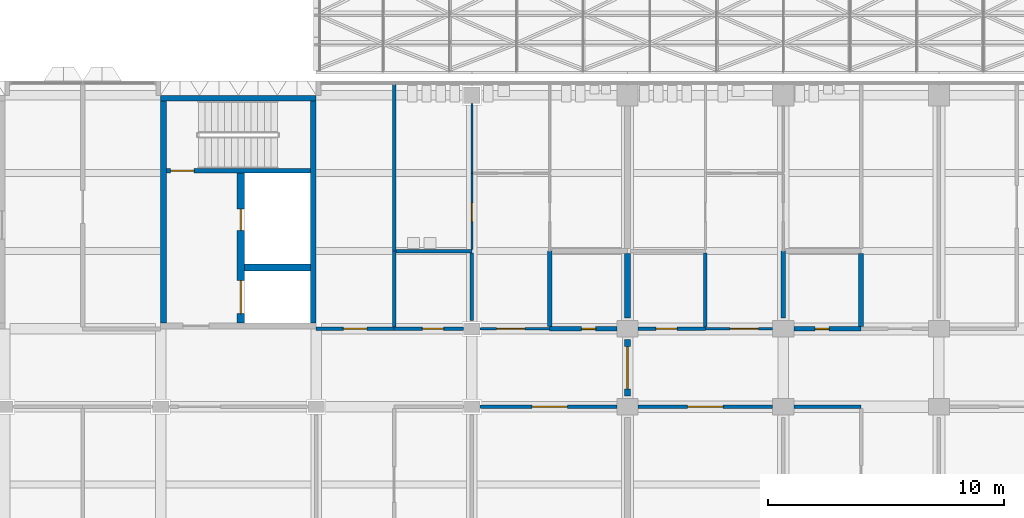
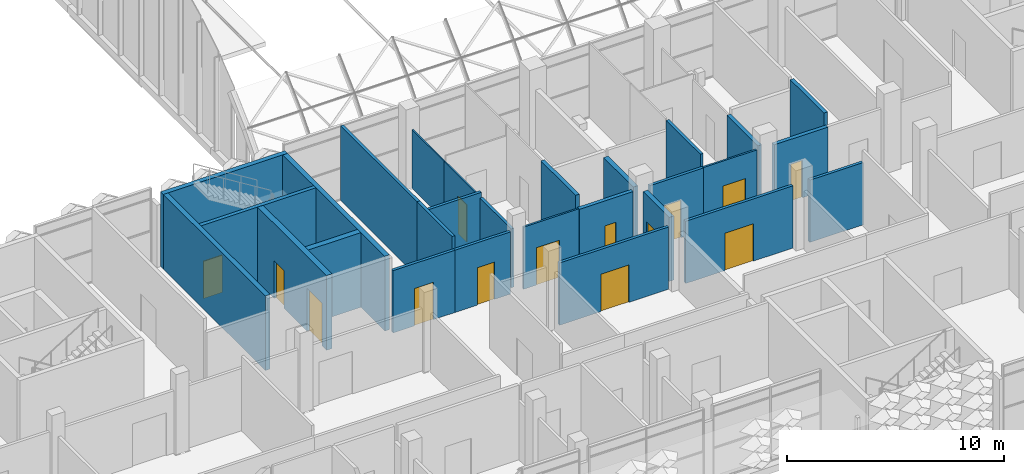
# One storey, part 52 of 109: 28 walls, 14 doors, 14 openings.
"""IFC4 building model written with IfcOpenShell, lengths in metres."""

from ifc_helpers import new_model, si_unit, direction, frame, frame_2d, origin, place, context, subcontext, project, spatial, rectangle, extrude, material, layer, layer_set, type_object, element, fill, save


model = new_model("IFC4")

# Units and contexts
model_context = context("Model", 3, precision=1e-05, world=origin(), true_north=direction((0.0, 1.0)))
body_context = subcontext(model_context, "Body", "Model", "MODEL_VIEW")
ifc_project = project(units=[si_unit("LENGTHUNIT", "METRE"), si_unit("AREAUNIT", "SQUARE_METRE"), si_unit("VOLUMEUNIT", "CUBIC_METRE"), si_unit("PLANEANGLEUNIT", "RADIAN"), si_unit("MASSUNIT", "GRAM", prefix="KILO")], contexts=[model_context])

# Site, building, storey
site_placement = place(None, origin())
site = spatial("IfcSite", under=ifc_project, at=site_placement, CompositionType="ELEMENT")
building_placement = place(site_placement, origin())
building = spatial("IfcBuilding", under=site, at=building_placement, Name="Lantern Court Research Institute", CompositionType="ELEMENT")
storey_placement = place(building_placement, frame((0.0, 0.0, 14.39990234375)))
storey = spatial("IfcBuildingStorey", under=building, at=storey_placement, Name="L03", CompositionType="ELEMENT", Elevation=14.39990234375)

# Wall, opening, door
ifc_material_1 = material(Name="Fire-rated gypsum board partition, mineral wool filled")
ifc_layer_1 = layer(ifc_material_1, 0.199951171875)
ifc_layer_set_1 = layer_set([ifc_layer_1], Name="Fire-rated gypsum board partition, mineral wool filled")
wall_type_1 = type_object("IfcWallType", Name="Compartment wall 200 EI 120", PredefinedType="PARTITIONING", material=ifc_layer_set_1)
wall_1_placement = place(storey_placement, frame((49.5, 13.199951171875, 0.0), z_axis=(0.0, 0.0, 1.0), x_axis=(1.0, 0.0, 0.0)))
wall_1 = element("IfcWall", 1, at=wall_1_placement, inside=storey, type_object=wall_type_1, Name="Compartment wall 200 EI 120", PredefinedType="PARTITIONING", context=body_context, shape_type="SweptSolid", body=[
    extrude(rectangle(XDim=2.85009765625, YDim=0.199951171875, at=frame_2d((1.425048828125, 0.0))), origin(), (0.0, 0.0, 1.0), 3.5),
])
opening_1_placement = place(wall_1_placement, frame((1.35009765625, 0.0, 0.0)))
opening_1 = element("IfcOpeningElement", 2, at=opening_1_placement, cuts=wall_1, Name="Opening D4310", PredefinedType="OPENING", context=body_context, shape_type="SweptSolid", body=[
    extrude(rectangle(XDim=0.60009765625, YDim=2.10009765625, at=frame_2d((0.300048828125, 1.050048828125))), frame((0.0, 0.10986328125, 0.0), z_axis=(0.0, -1.0, 0.0), x_axis=(1.0, 0.0, 0.0)), (0.0, 0.0, 1.0), 0.219970703125),
])
ifc_material_2 = material(Name="Solid-core timber door leaf", Category="wood")
ifc_layer_2 = layer(ifc_material_2, 0.06005859375)
ifc_layer_set_2 = layer_set([ifc_layer_2], Name="Solid-core timber door leaf")
door_type_1 = type_object("IfcDoorType", Name="Service riser door 600 x 2100 single FD60", OperationType="NOTDEFINED", PredefinedType="DOOR", material=ifc_layer_set_2)
door_1_placement = place(opening_1_placement, origin())
door_1 = element("IfcDoor", 3, at=door_1_placement, inside=storey, type_object=door_type_1, Name="Door D4310", OperationType="SINGLE_SWING_RIGHT", OverallHeight=2.10009765625, OverallWidth=0.60009765625, PredefinedType="DOOR", context=body_context, shape_type="SweptSolid", body=[
    extrude(rectangle(XDim=0.60009765625, YDim=2.10009765625, at=frame_2d((0.300048828125, 1.050048828125))), frame((0.0, 0.030029296875, 0.0), z_axis=(0.0, -1.0, 0.0), x_axis=(1.0, 0.0, 0.0)), (0.0, 0.0, 1.0), 0.06005859375),
])
fill(opening_1, door_1)

# Wall
wall_2_placement = place(storey_placement, frame((49.5, 13.300048828125, 0.0), z_axis=(0.0, 0.0, 1.0), x_axis=(0.0, 1.0, 0.0)))
element("IfcWall", 4, at=wall_2_placement, inside=storey, type_object=wall_type_1, Name="Compartment wall 200 EI 120", PredefinedType="PARTITIONING", context=body_context, shape_type="SweptSolid", body=[
    extrude(rectangle(XDim=3.199951171875, YDim=0.199951171875, at=frame_2d((1.60009765625, 0.0))), origin(), (0.0, 0.0, 1.0), 4.2001953125),
])

# Wall, opening, door
wall_3_placement = place(storey_placement, frame((59.85009765625, 13.199951171875, 0.0), z_axis=(0.0, 0.0, 1.0), x_axis=(1.0, 0.0, 0.0)))
wall_3 = element("IfcWall", 5, at=wall_3_placement, inside=storey, type_object=wall_type_1, Name="Compartment wall 200 EI 120", PredefinedType="PARTITIONING", context=body_context, shape_type="SweptSolid", body=[
    extrude(rectangle(XDim=2.849853515625, YDim=0.199951171875, at=frame_2d((1.4248046875, 0.0))), origin(), (0.0, 0.0, 1.0), 3.5),
])
opening_2_placement = place(wall_3_placement, frame((0.89990234375, 0.0, 0.0)))
opening_2 = element("IfcOpeningElement", 6, at=opening_2_placement, cuts=wall_3, Name="Opening D5305", PredefinedType="OPENING", context=body_context, shape_type="SweptSolid", body=[
    extrude(rectangle(XDim=0.60009765625, YDim=2.10009765625, at=frame_2d((0.300048828125, 1.050048828125))), frame((0.0, 0.10986328125, 0.0), z_axis=(0.0, -1.0, 0.0), x_axis=(1.0, 0.0, 0.0)), (0.0, 0.0, 1.0), 0.219970703125),
])
door_2_placement = place(opening_2_placement, origin())
door_2 = element("IfcDoor", 7, at=door_2_placement, inside=storey, type_object=door_type_1, Name="Door D5305", OperationType="SINGLE_SWING_RIGHT", OverallHeight=2.10009765625, OverallWidth=0.60009765625, PredefinedType="DOOR", context=body_context, shape_type="SweptSolid", body=[
    extrude(rectangle(XDim=0.60009765625, YDim=2.10009765625, at=frame_2d((0.300048828125, 1.050048828125))), frame((0.0, 0.030029296875, 0.0), z_axis=(0.0, -1.0, 0.0), x_axis=(1.0, 0.0, 0.0)), (0.0, 0.0, 1.0), 0.06005859375),
])
fill(opening_2, door_2)

# Walls
wall_4_placement = place(storey_placement, frame((59.39990234375, 13.64990234375, 0.0), z_axis=(0.0, 0.0, 1.0), x_axis=(0.0, 1.0, 0.0)))
element("IfcWall", 8, at=wall_4_placement, inside=storey, type_object=wall_type_1, Name="Compartment wall 200 EI 120", PredefinedType="PARTITIONING", context=body_context, shape_type="SweptSolid", body=[
    extrude(rectangle(XDim=2.85009765625, YDim=0.199951171875, at=frame_2d((1.425048828125, 0.0))), origin(), (0.0, 0.0, 1.0), 3.300048828125),
])
wall_5_placement = place(storey_placement, frame((62.699951171875, 13.300048828125, 0.0), z_axis=(0.0, 0.0, 1.0), x_axis=(0.0, 1.0, 0.0)))
element("IfcWall", 9, at=wall_5_placement, inside=storey, type_object=wall_type_1, Name="Compartment wall 200 EI 120", PredefinedType="PARTITIONING", context=body_context, shape_type="SweptSolid", body=[
    extrude(rectangle(XDim=3.099853515625, YDim=0.199951171875, at=frame_2d((1.5498046875, 0.0))), origin(), (0.0, 0.0, 1.0), 4.2001953125),
])

# Wall, opening, door
ifc_material_3 = material(Name="Fire-rated gypsum board partition, mineral wool filled")
ifc_layer_3 = layer(ifc_material_3, 0.14990234375)
ifc_layer_set_3 = layer_set([ifc_layer_3], Name="Fire-rated gypsum board partition, mineral wool filled")
wall_type_2 = type_object("IfcWallType", Name="Laboratory partition 150 EI 60", PredefinedType="PARTITIONING", material=ifc_layer_set_3)
wall_6_placement = place(storey_placement, frame((42.89990234375, 13.199951171875, 0.0), z_axis=(0.0, 0.0, 1.0), x_axis=(-1.0, 0.0, 0.0)))
wall_6 = element("IfcWall", 10, at=wall_6_placement, inside=storey, type_object=wall_type_2, Name="Laboratory partition 150 EI 60", PredefinedType="PARTITIONING", context=body_context, shape_type="SweptSolid", body=[
    extrude(rectangle(XDim=3.2998046875, YDim=0.14990234375, at=frame_2d((1.64990234375, 0.0))), origin(), (0.0, 0.0, 1.0), 3.5),
])
opening_3_placement = place(wall_6_placement, frame((1.14990234375, 0.0, 0.0)))
opening_3 = element("IfcOpeningElement", 11, at=opening_3_placement, cuts=wall_6, Name="Opening D4305", PredefinedType="OPENING", context=body_context, shape_type="SweptSolid", body=[
    extrude(rectangle(XDim=1.0, YDim=2.10009765625, at=frame_2d((0.5, 1.050048828125))), frame((0.0, 0.0849609375, 0.0), z_axis=(0.0, -1.0, 0.0), x_axis=(1.0, 0.0, 0.0)), (0.0, 0.0, 1.0), 0.169921875),
])
ifc_material_4 = material(Name="Solid-core timber door leaf with vision panel", Category="wood")
ifc_layer_4 = layer(ifc_material_4, 0.053955078125)
ifc_layer_set_4 = layer_set([ifc_layer_4], Name="Solid-core timber door leaf with vision panel")
door_type_2 = type_object("IfcDoorType", Name="Laboratory door 1000 x 2100 single FD30S", OperationType="NOTDEFINED", PredefinedType="DOOR", material=ifc_layer_set_4)
door_3_placement = place(opening_3_placement, origin())
door_3 = element("IfcDoor", 12, at=door_3_placement, inside=storey, type_object=door_type_2, Name="Door D4305", OperationType="SINGLE_SWING_LEFT", OverallHeight=2.10009765625, OverallWidth=1.0, PredefinedType="DOOR", context=body_context, shape_type="SweptSolid", body=[
    extrude(rectangle(XDim=1.0, YDim=2.10009765625, at=frame_2d((0.5, 1.050048828125))), frame((0.0, 0.02685546875, 0.0), z_axis=(0.0, -1.0, 0.0), x_axis=(1.0, 0.0, 0.0)), (0.0, 0.0, 1.0), 0.053955078125),
])
fill(opening_3, door_3)

wall_7_placement = place(storey_placement, frame((45.85009765625, 13.199951171875, 0.0), z_axis=(0.0, 0.0, 1.0), x_axis=(-1.0, 0.0, 0.0)))
wall_7 = element("IfcWall", 13, at=wall_7_placement, inside=storey, type_object=wall_type_2, Name="Laboratory partition 150 EI 60", PredefinedType="PARTITIONING", context=body_context, shape_type="SweptSolid", body=[
    extrude(rectangle(XDim=2.9501953125, YDim=0.14990234375, at=frame_2d((1.47509765625, 0.0))), origin(), (0.0, 0.0, 1.0), 3.5),
])
opening_4_placement = place(wall_7_placement, frame((0.85009765625, 0.0, 0.0)))
opening_4 = element("IfcOpeningElement", 14, at=opening_4_placement, cuts=wall_7, Name="Opening D4306", PredefinedType="OPENING", context=body_context, shape_type="SweptSolid", body=[
    extrude(rectangle(XDim=0.89990234375, YDim=2.10009765625, at=frame_2d((0.449951171875, 1.050048828125))), frame((0.0, 0.0849609375, 0.0), z_axis=(0.0, -1.0, 0.0), x_axis=(1.0, 0.0, 0.0)), (0.0, 0.0, 1.0), 0.169921875),
])
ifc_material_5 = material(Name="Solid-core timber door leaf", Category="wood")
ifc_layer_5 = layer(ifc_material_5, 0.053955078125)
ifc_layer_set_5 = layer_set([ifc_layer_5], Name="Solid-core timber door leaf")
door_type_3 = type_object("IfcDoorType", Name="Cleaners store door 900 x 2100 single FD30S", OperationType="NOTDEFINED", PredefinedType="DOOR", material=ifc_layer_set_5)
door_4_placement = place(opening_4_placement, origin())
door_4 = element("IfcDoor", 15, at=door_4_placement, inside=storey, type_object=door_type_3, Name="Door D4306", OperationType="SINGLE_SWING_LEFT", OverallHeight=2.10009765625, OverallWidth=0.89990234375, PredefinedType="DOOR", context=body_context, shape_type="SweptSolid", body=[
    extrude(rectangle(XDim=0.89990234375, YDim=2.10009765625, at=frame_2d((0.449951171875, 1.050048828125))), frame((0.0, 0.02685546875, 0.0), z_axis=(0.0, -1.0, 0.0), x_axis=(1.0, 0.0, 0.0)), (0.0, 0.0, 1.0), 0.053955078125),
])
fill(opening_4, door_4)

wall_8_placement = place(storey_placement, frame((46.550048828125, 9.89990234375, 0.0), z_axis=(0.0, 0.0, 1.0), x_axis=(1.0, 0.0, 0.0)))
wall_8 = element("IfcWall", 16, at=wall_8_placement, inside=storey, type_object=wall_type_2, Name="Laboratory partition 150 EI 60", PredefinedType="PARTITIONING", context=body_context, shape_type="SweptSolid", body=[
    extrude(rectangle(XDim=5.800048828125, YDim=0.14990234375, at=frame_2d((2.89990234375, 0.0))), origin(), (0.0, 0.0, 1.0), 3.5),
])
opening_5_placement = place(wall_8_placement, frame((2.199951171875, 0.0, 0.0)))
opening_5 = element("IfcOpeningElement", 17, at=opening_5_placement, cuts=wall_8, Name="Opening D4329", PredefinedType="OPENING", context=body_context, shape_type="SweptSolid", body=[
    extrude(rectangle(XDim=1.5, YDim=2.10009765625, at=frame_2d((0.75, 1.050048828125))), frame((0.0, 0.0849609375, 0.0), z_axis=(0.0, -1.0, 0.0), x_axis=(1.0, 0.0, 0.0)), (0.0, 0.0, 1.0), 0.169921875),
])
ifc_material_6 = material(Name="Solid-core timber door leaf with vision panel", Category="wood")
ifc_layer_6 = layer(ifc_material_6, 0.053955078125)
ifc_layer_set_6 = layer_set([ifc_layer_6], Name="Solid-core timber door leaf with vision panel")
door_type_4 = type_object("IfcDoorType", Name="Laboratory double door 1500 x 2100 pair FD30S", OperationType="DOUBLE_DOOR_SINGLE_SWING", PredefinedType="DOOR", material=ifc_layer_set_6)
door_5_placement = place(opening_5_placement, origin())
door_5 = element("IfcDoor", 18, at=door_5_placement, inside=storey, type_object=door_type_4, Name="Door D4329", OperationType="DOUBLE_DOOR_SINGLE_SWING", OverallHeight=2.10009765625, OverallWidth=1.5, PredefinedType="DOOR", context=body_context, shape_type="SweptSolid", body=[
    extrude(rectangle(XDim=1.5, YDim=2.10009765625, at=frame_2d((0.75, 1.050048828125))), frame((0.0, 0.02685546875, 0.0), z_axis=(0.0, -1.0, 0.0), x_axis=(1.0, 0.0, 0.0)), (0.0, 0.0, 1.0), 0.053955078125),
])
fill(opening_5, door_5)

# Walls
wall_9_placement = place(storey_placement, frame((42.89990234375, 13.27490234375, 0.0), z_axis=(0.0, 0.0, 1.0), x_axis=(0.0, 1.0, 0.0)))
element("IfcWall", 19, at=wall_9_placement, inside=storey, type_object=wall_type_2, Name="Laboratory partition 150 EI 60", PredefinedType="PARTITIONING", context=body_context, shape_type="SweptSolid", body=[
    extrude(rectangle(XDim=3.22509765625, YDim=0.14990234375, at=frame_2d((1.612548828125, 0.0))), origin(), (0.0, 0.0, 1.0), 4.2001953125),
])
wall_10_placement = place(storey_placement, frame((42.89990234375, 16.5, 0.0), z_axis=(0.0, 0.0, 1.0), x_axis=(0.0, 1.0, 0.0)))
element("IfcWall", 20, at=wall_10_placement, inside=storey, type_object=wall_type_2, Name="Laboratory partition 150 EI 60", PredefinedType="PARTITIONING", context=body_context, shape_type="SweptSolid", body=[
    extrude(rectangle(XDim=7.050048828125, YDim=0.14990234375, at=frame_2d((3.52490234375, 0.0))), origin(), (0.0, 0.0, 1.0), 4.2001953125),
])
wall_11_placement = place(storey_placement, frame((46.199951171875, 16.5, 0.0), z_axis=(0.0, 0.0, 1.0), x_axis=(-1.0, 0.0, 0.0)))
element("IfcWall", 21, at=wall_11_placement, inside=storey, type_object=wall_type_2, Name="Laboratory partition 150 EI 60", PredefinedType="PARTITIONING", context=body_context, shape_type="SweptSolid", body=[
    extrude(rectangle(XDim=3.224853515625, YDim=0.14990234375, at=frame_2d((1.6123046875, 0.0))), origin(), (0.0, 0.0, 1.0), 3.60009765625),
])
wall_12_placement = place(storey_placement, frame((46.199951171875, 13.550048828125, 0.0), z_axis=(0.0, 0.0, 1.0), x_axis=(0.0, 1.0, 0.0)))
element("IfcWall", 22, at=wall_12_placement, inside=storey, type_object=wall_type_2, Name="Laboratory partition 150 EI 60", PredefinedType="PARTITIONING", context=body_context, shape_type="SweptSolid", body=[
    extrude(rectangle(XDim=2.875, YDim=0.14990234375, at=frame_2d((1.4375, 0.0))), origin(), (0.0, 0.0, 1.0), 3.300048828125),
])

# Wall, opening, door
wall_13_placement = place(storey_placement, frame((56.10009765625, 13.199951171875, 0.0), z_axis=(0.0, 0.0, 1.0), x_axis=(-1.0, 0.0, 0.0)))
wall_13 = element("IfcWall", 23, at=wall_13_placement, inside=storey, type_object=wall_type_2, Name="Laboratory partition 150 EI 60", PredefinedType="PARTITIONING", context=body_context, shape_type="SweptSolid", body=[
    extrude(rectangle(XDim=2.85009765625, YDim=0.14990234375, at=frame_2d((1.425048828125, 0.0))), origin(), (0.0, 0.0, 1.0), 3.5),
])
opening_6_placement = place(wall_13_placement, frame((1.199951171875, 0.0, 0.0)))
opening_6 = element("IfcOpeningElement", 24, at=opening_6_placement, cuts=wall_13, Name="Opening D5301", PredefinedType="OPENING", context=body_context, shape_type="SweptSolid", body=[
    extrude(rectangle(XDim=0.89990234375, YDim=2.10009765625, at=frame_2d((0.449951171875, 1.050048828125))), frame((0.0, 0.0849609375, 0.0), z_axis=(0.0, -1.0, 0.0), x_axis=(1.0, 0.0, 0.0)), (0.0, 0.0, 1.0), 0.169921875),
])
door_6_placement = place(opening_6_placement, origin())
door_6 = element("IfcDoor", 25, at=door_6_placement, inside=storey, type_object=door_type_3, Name="Door D5301", OperationType="SINGLE_SWING_LEFT", OverallHeight=2.10009765625, OverallWidth=0.89990234375, PredefinedType="DOOR", context=body_context, shape_type="SweptSolid", body=[
    extrude(rectangle(XDim=0.89990234375, YDim=2.10009765625, at=frame_2d((0.449951171875, 1.050048828125))), frame((0.0, 0.02685546875, 0.0), z_axis=(0.0, -1.0, 0.0), x_axis=(1.0, 0.0, 0.0)), (0.0, 0.0, 1.0), 0.053955078125),
])
fill(opening_6, door_6)

wall_14_placement = place(storey_placement, frame((53.25, 9.89990234375, 0.0), z_axis=(0.0, 0.0, 1.0), x_axis=(1.0, 0.0, 0.0)))
wall_14 = element("IfcWall", 26, at=wall_14_placement, inside=storey, type_object=wall_type_2, Name="Laboratory partition 150 EI 60", PredefinedType="PARTITIONING", context=body_context, shape_type="SweptSolid", body=[
    extrude(rectangle(XDim=5.699951171875, YDim=0.14990234375, at=frame_2d((2.85009765625, 0.0))), origin(), (0.0, 0.0, 1.0), 3.5),
])
opening_7_placement = place(wall_14_placement, frame((2.10009765625, 0.0, 0.0)))
opening_7 = element("IfcOpeningElement", 27, at=opening_7_placement, cuts=wall_14, Name="Opening D5312", PredefinedType="OPENING", context=body_context, shape_type="SweptSolid", body=[
    extrude(rectangle(XDim=1.5, YDim=2.10009765625, at=frame_2d((0.75, 1.050048828125))), frame((0.0, 0.0849609375, 0.0), z_axis=(0.0, -1.0, 0.0), x_axis=(1.0, 0.0, 0.0)), (0.0, 0.0, 1.0), 0.169921875),
])
door_7_placement = place(opening_7_placement, origin())
door_7 = element("IfcDoor", 28, at=door_7_placement, inside=storey, type_object=door_type_4, Name="Door D5312", OperationType="DOUBLE_DOOR_SINGLE_SWING", OverallHeight=2.10009765625, OverallWidth=1.5, PredefinedType="DOOR", context=body_context, shape_type="SweptSolid", body=[
    extrude(rectangle(XDim=1.5, YDim=2.10009765625, at=frame_2d((0.75, 1.050048828125))), frame((0.0, 0.02685546875, 0.0), z_axis=(0.0, -1.0, 0.0), x_axis=(1.0, 0.0, 0.0)), (0.0, 0.0, 1.0), 0.053955078125),
])
fill(opening_7, door_7)

# Walls
wall_15_placement = place(storey_placement, frame((59.85009765625, 9.89990234375, 0.0), z_axis=(0.0, 0.0, 1.0), x_axis=(1.0, 0.0, 0.0)))
element("IfcWall", 29, at=wall_15_placement, inside=storey, type_object=wall_type_2, Name="Laboratory partition 150 EI 60", PredefinedType="PARTITIONING", context=body_context, shape_type="SweptSolid", body=[
    extrude(rectangle(XDim=2.849853515625, YDim=0.14990234375, at=frame_2d((1.4248046875, 0.0))), origin(), (0.0, 0.0, 1.0), 3.5),
])
wall_16_placement = place(storey_placement, frame((56.10009765625, 13.27490234375, 0.0), z_axis=(0.0, 0.0, 1.0), x_axis=(0.0, 1.0, 0.0)))
element("IfcWall", 30, at=wall_16_placement, inside=storey, type_object=wall_type_2, Name="Laboratory partition 150 EI 60", PredefinedType="PARTITIONING", context=body_context, shape_type="SweptSolid", body=[
    extrude(rectangle(XDim=3.150146484375, YDim=0.14990234375, at=frame_2d((1.5751953125, 0.0))), origin(), (0.0, 0.0, 1.0), 4.2001953125),
])

# Wall, opening, door
ifc_material_7 = material(Name="Gypsum board partition, mineral wool filled")
ifc_layer_7 = layer(ifc_material_7, 0.10009765625)
ifc_layer_set_7 = layer_set([ifc_layer_7], Name="Gypsum board partition, mineral wool filled")
wall_type_3 = type_object("IfcWallType", Name="Partition 100", PredefinedType="PARTITIONING", material=ifc_layer_set_7)
wall_17_placement = place(storey_placement, frame((46.550048828125, 13.199951171875, 0.0), z_axis=(0.0, 0.0, 1.0), x_axis=(1.0, 0.0, 0.0)))
wall_17 = element("IfcWall", 31, at=wall_17_placement, inside=storey, type_object=wall_type_3, Name="Partition 100", PredefinedType="PARTITIONING", context=body_context, shape_type="SweptSolid", body=[
    extrude(rectangle(XDim=2.949951171875, YDim=0.10009765625, at=frame_2d((1.47509765625, 0.0))), origin(), (0.0, 0.0, 1.0), 3.5),
])
opening_8_placement = place(wall_17_placement, frame((0.699951171875, 0.0, 0.0)))
opening_8 = element("IfcOpeningElement", 32, at=opening_8_placement, cuts=wall_17, Name="Opening D4308", PredefinedType="OPENING", context=body_context, shape_type="SweptSolid", body=[
    extrude(rectangle(XDim=1.199951171875, YDim=2.10009765625, at=frame_2d((0.60009765625, 1.050048828125))), frame((0.0, 0.06005859375, 0.0), z_axis=(0.0, -1.0, 0.0), x_axis=(1.0, 0.0, 0.0)), (0.0, 0.0, 1.0), 0.1201171875),
])
ifc_material_8 = material(Name="Solid-core timber door leaf", Category="wood")
ifc_layer_8 = layer(ifc_material_8, 0.0439453125)
ifc_layer_set_8 = layer_set([ifc_layer_8], Name="Solid-core timber door leaf")
door_type_5 = type_object("IfcDoorType", Name="WC vestibule door 1200 x 2100 single NOT RATED", OperationType="NOTDEFINED", PredefinedType="DOOR", material=ifc_layer_set_8)
door_8_placement = place(opening_8_placement, origin())
door_8 = element("IfcDoor", 33, at=door_8_placement, inside=storey, type_object=door_type_5, Name="Door D4308", OperationType="SINGLE_SWING_RIGHT", OverallHeight=2.10009765625, OverallWidth=1.199951171875, PredefinedType="DOOR", context=body_context, shape_type="SweptSolid", body=[
    extrude(rectangle(XDim=1.199951171875, YDim=2.10009765625, at=frame_2d((0.60009765625, 1.050048828125))), frame((0.0, 0.02197265625, 0.0), z_axis=(0.0, -1.0, 0.0), x_axis=(1.0, 0.0, 0.0)), (0.0, 0.0, 1.0), 0.0439453125),
])
fill(opening_8, door_8)

wall_18_placement = place(storey_placement, frame((56.10009765625, 13.199951171875, 0.0), z_axis=(0.0, 0.0, 1.0), x_axis=(1.0, 0.0, 0.0)))
wall_18 = element("IfcWall", 34, at=wall_18_placement, inside=storey, type_object=wall_type_3, Name="Partition 100", PredefinedType="PARTITIONING", context=body_context, shape_type="SweptSolid", body=[
    extrude(rectangle(XDim=2.849853515625, YDim=0.10009765625, at=frame_2d((1.4248046875, 0.0))), origin(), (0.0, 0.0, 1.0), 3.5),
])
opening_9_placement = place(wall_18_placement, frame((1.050048828125, 0.0, 0.0)))
opening_9 = element("IfcOpeningElement", 35, at=opening_9_placement, cuts=wall_18, Name="Opening D5303", PredefinedType="OPENING", context=body_context, shape_type="SweptSolid", body=[
    extrude(rectangle(XDim=1.199951171875, YDim=2.10009765625, at=frame_2d((0.60009765625, 1.050048828125))), frame((0.0, 0.06005859375, 0.0), z_axis=(0.0, -1.0, 0.0), x_axis=(1.0, 0.0, 0.0)), (0.0, 0.0, 1.0), 0.1201171875),
])
door_9_placement = place(opening_9_placement, origin())
door_9 = element("IfcDoor", 36, at=door_9_placement, inside=storey, type_object=door_type_5, Name="Door D5303", OperationType="SINGLE_SWING_RIGHT", OverallHeight=2.10009765625, OverallWidth=1.199951171875, PredefinedType="DOOR", context=body_context, shape_type="SweptSolid", body=[
    extrude(rectangle(XDim=1.199951171875, YDim=2.10009765625, at=frame_2d((0.60009765625, 1.050048828125))), frame((0.0, 0.02197265625, 0.0), z_axis=(0.0, -1.0, 0.0), x_axis=(1.0, 0.0, 0.0)), (0.0, 0.0, 1.0), 0.0439453125),
])
fill(opening_9, door_9)

ifc_material_9 = material(Name="Fire-rated gypsum board partition, double stud, mineral wool filled")
ifc_layer_9 = layer(ifc_material_9, 0.25)
ifc_layer_set_9 = layer_set([ifc_layer_9], Name="Fire-rated gypsum board partition, double stud, mineral wool filled")
wall_type_4 = type_object("IfcWallType", Name="Plant compartment wall 250 EI 120", PredefinedType="PARTITIONING", material=ifc_layer_set_9)
wall_19_placement = place(storey_placement, frame((52.800048828125, 10.35009765625, 0.0), z_axis=(0.0, 0.0, 1.0), x_axis=(0.0, 1.0, 0.0)))
wall_19 = element("IfcWall", 37, at=wall_19_placement, inside=storey, type_object=wall_type_4, Name="Plant compartment wall 250 EI 120", PredefinedType="PARTITIONING", context=body_context, shape_type="SweptSolid", body=[
    extrude(rectangle(XDim=2.39990234375, YDim=0.25, at=frame_2d((1.199951171875, 0.0))), origin(), (0.0, 0.0, 1.0), 3.60009765625),
])
opening_10_placement = place(wall_19_placement, frame((0.300048828125, 0.0, 0.0)))
opening_10 = element("IfcOpeningElement", 38, at=opening_10_placement, cuts=wall_19, Name="Opening D4301", PredefinedType="OPENING", context=body_context, shape_type="SweptSolid", body=[
    extrude(rectangle(XDim=1.800048828125, YDim=2.10009765625, at=frame_2d((0.89990234375, 1.050048828125))), frame((0.0, 0.135009765625, 0.0), z_axis=(0.0, -1.0, 0.0), x_axis=(1.0, 0.0, 0.0)), (0.0, 0.0, 1.0), 0.27001953125),
])
ifc_material_10 = material(Name="Solid-core timber door leaf", Category="wood")
ifc_layer_10 = layer(ifc_material_10, 0.06005859375)
ifc_layer_set_10 = layer_set([ifc_layer_10], Name="Solid-core timber door leaf")
door_type_6 = type_object("IfcDoorType", Name="Corridor fire door pair door 1800 x 2100 pair FD60", OperationType="DOUBLE_DOOR_SINGLE_SWING", PredefinedType="DOOR", material=ifc_layer_set_10)
door_10_placement = place(opening_10_placement, origin())
door_10 = element("IfcDoor", 39, at=door_10_placement, inside=storey, type_object=door_type_6, Name="Door D4301", OperationType="DOUBLE_DOOR_SINGLE_SWING", OverallHeight=2.10009765625, OverallWidth=1.800048828125, PredefinedType="DOOR", context=body_context, shape_type="SweptSolid", body=[
    extrude(rectangle(XDim=1.800048828125, YDim=2.10009765625, at=frame_2d((0.89990234375, 1.050048828125))), frame((0.0, 0.030029296875, 0.0), z_axis=(0.0, -1.0, 0.0), x_axis=(1.0, 0.0, 0.0)), (0.0, 0.0, 1.0), 0.06005859375),
])
fill(opening_10, door_10)

# Walls
wall_20_placement = place(storey_placement, frame((52.800048828125, 13.64990234375, 0.0), z_axis=(0.0, 0.0, 1.0), x_axis=(0.0, 1.0, 0.0)))
element("IfcWall", 40, at=wall_20_placement, inside=storey, type_object=wall_type_4, Name="Plant compartment wall 250 EI 120", PredefinedType="PARTITIONING", context=body_context, shape_type="SweptSolid", body=[
    extrude(rectangle(XDim=2.75, YDim=0.25, at=frame_2d((1.375, 0.0))), origin(), (0.0, 0.0, 1.0), 3.300048828125),
])
ifc_material_11 = material(Name="Concrete C40/50", Category="concrete")
ifc_layer_11 = layer(ifc_material_11, 0.25)
ifc_layer_set_11 = layer_set([ifc_layer_11], Name="Concrete C40/50")
wall_type_5 = type_object("IfcWallType", Name="RC core wall 250", PredefinedType="SHEAR", material=ifc_layer_set_11)
for number, where, z_axis, x_axis, name in (
    (41, (33.125, 13.449951171875, 0.0), (0.0, 0.0, 1.0), (0.0, 1.0, 0.0), "West wall of core BC-E"),
    (42, (39.47509765625, 13.449951171875, 0.0), (0.0, 0.0, 1.0), (0.0, 1.0, 0.0), "East wall of core BC-E"),
):
    element("IfcWall", number, at=place(storey_placement, frame(where, z_axis=z_axis, x_axis=x_axis)), inside=storey, type_object=wall_type_5, Name=name, PredefinedType="SHEAR", context=body_context, shape_type="SweptSolid", body=[
        extrude(rectangle(XDim=9.400146484375, YDim=0.25, at=frame_2d((4.7001953125, 0.0))), origin(), (0.0, 0.0, 1.0), 4.2001953125),
    ])
ifc_material_12 = material(Name="Concrete C40/50", Category="concrete")
ifc_layer_12 = layer(ifc_material_12, 0.25)
ifc_layer_set_12 = layer_set([ifc_layer_12], Name="Concrete C40/50")
wall_type_6 = type_object("IfcWallType", Name="RC core wall 250 facade", PredefinedType="SHEAR", material=ifc_layer_set_12)
wall_21_placement = place(storey_placement, frame((33.0, 22.97509765625, 0.0), z_axis=(0.0, 0.0, 1.0), x_axis=(1.0, 0.0, 0.0)))
element("IfcWall", 43, at=wall_21_placement, inside=storey, type_object=wall_type_6, Name="North wall of core BC-E", PredefinedType="SHEAR", context=body_context, shape_type="SweptSolid", body=[
    extrude(rectangle(XDim=6.60009765625, YDim=0.25, at=frame_2d((3.300048828125, 0.0))), origin(), (0.0, 0.0, 1.0), 4.2001953125),
])

# Wall, opening, door
ifc_material_13 = material(Name="Concrete C40/50", Category="concrete")
ifc_layer_13 = layer(ifc_material_13, 0.199951171875)
ifc_layer_set_13 = layer_set([ifc_layer_13], Name="Concrete C40/50")
wall_type_7 = type_object("IfcWallType", Name="RC shaft wall 200", PredefinedType="SHEAR", material=ifc_layer_set_13)
wall_22_placement = place(storey_placement, frame((33.25, 19.89990234375, 0.0), z_axis=(0.0, 0.0, 1.0), x_axis=(1.0, 0.0, 0.0)))
wall_22 = element("IfcWall", 44, at=wall_22_placement, inside=storey, type_object=wall_type_7, Name="Stair wall of core BC-E", PredefinedType="SHEAR", context=body_context, shape_type="SweptSolid", body=[
    extrude(rectangle(XDim=6.10009765625, YDim=0.199951171875, at=frame_2d((3.050048828125, 0.0))), origin(), (0.0, 0.0, 1.0), 4.2001953125),
])
opening_11_placement = place(wall_22_placement, frame((0.175048828125, 0.0, 0.0)))
opening_11 = element("IfcOpeningElement", 45, at=opening_11_placement, cuts=wall_22, Name="Opening D7085", PredefinedType="OPENING", context=body_context, shape_type="SweptSolid", body=[
    extrude(rectangle(XDim=1.0, YDim=2.10009765625, at=frame_2d((0.5, 1.050048828125))), frame((0.0, 0.10986328125, 0.0), z_axis=(0.0, -1.0, 0.0), x_axis=(1.0, 0.0, 0.0)), (0.0, 0.0, 1.0), 0.219970703125),
])
ifc_material_14 = material(Name="Steel fire door leaf with smoke seals", Category="steel")
door_type_7 = type_object("IfcDoorType", Name="Door 1000 x 2100 fire rated FD60S", OperationType="NOTDEFINED", PredefinedType="DOOR", material=ifc_material_14)
door_11_placement = place(opening_11_placement, origin())
door_11 = element("IfcDoor", 46, at=door_11_placement, inside=storey, type_object=door_type_7, Name="Stair door", OperationType="SINGLE_SWING_RIGHT", OverallHeight=2.10009765625, OverallWidth=1.0, PredefinedType="DOOR", context=body_context, shape_type="SweptSolid", body=[
    extrude(rectangle(XDim=1.0, YDim=2.10009765625, at=frame_2d((0.5, 1.050048828125))), frame((0.0, 0.02490234375, 0.0), z_axis=(0.0, -1.0, 0.0), x_axis=(1.0, 0.0, 0.0)), (0.0, 0.0, 1.0), 0.050048828125),
])
fill(opening_11, door_11)

# Wall, openings, doors
ifc_material_15 = material(Name="Concrete C40/50", Category="concrete")
ifc_layer_14 = layer(ifc_material_15, 0.300048828125)
ifc_layer_set_14 = layer_set([ifc_layer_14], Name="Concrete C40/50")
wall_type_8 = type_object("IfcWallType", Name="RC shaft wall 300", PredefinedType="SHEAR", material=ifc_layer_set_14)
wall_23_placement = place(storey_placement, frame((36.39990234375, 13.449951171875, 0.0), z_axis=(0.0, 0.0, 1.0), x_axis=(0.0, 1.0, 0.0)))
wall_23 = element("IfcWall", 47, at=wall_23_placement, inside=storey, type_object=wall_type_8, Name="Lift shaft wall of core BC-E", PredefinedType="SHEAR", context=body_context, shape_type="SweptSolid", body=[
    extrude(rectangle(XDim=6.35009765625, YDim=0.300048828125, at=frame_2d((3.175048828125, 0.0))), origin(), (0.0, 0.0, 1.0), 4.2001953125),
])
opening_12_placement = place(wall_23_placement, frame((3.925048828125, 0.0, 0.0)))
opening_12 = element("IfcOpeningElement", 48, at=opening_12_placement, cuts=wall_23, Name="Opening D7083", PredefinedType="OPENING", context=body_context, shape_type="SweptSolid", body=[
    extrude(rectangle(XDim=0.89990234375, YDim=2.10009765625, at=frame_2d((0.449951171875, 1.050048828125))), frame((0.0, 0.159912109375, 0.0), z_axis=(0.0, -1.0, 0.0), x_axis=(1.0, 0.0, 0.0)), (0.0, 0.0, 1.0), 0.320068359375),
])
opening_13_placement = place(wall_23_placement, frame((0.39990234375, 0.0, 0.0)))
opening_13 = element("IfcOpeningElement", 49, at=opening_13_placement, cuts=wall_23, Name="Opening D7086", PredefinedType="OPENING", context=body_context, shape_type="SweptSolid", body=[
    extrude(rectangle(XDim=1.39990234375, YDim=2.39990234375, at=frame_2d((0.699951171875, 1.199951171875))), frame((0.0, 0.159912109375, 0.0), z_axis=(0.0, -1.0, 0.0), x_axis=(1.0, 0.0, 0.0)), (0.0, 0.0, 1.0), 0.320068359375),
])
ifc_material_16 = material(Name="Steel fire door leaf", Category="steel")
door_type_8 = type_object("IfcDoorType", Name="Door 900 x 2100 fire rated FD60", OperationType="NOTDEFINED", PredefinedType="DOOR", material=ifc_material_16)
door_12_placement = place(opening_12_placement, origin())
door_12 = element("IfcDoor", 50, at=door_12_placement, inside=storey, type_object=door_type_8, Name="Riser door", OperationType="SINGLE_SWING_RIGHT", OverallHeight=2.10009765625, OverallWidth=0.89990234375, PredefinedType="DOOR", context=body_context, shape_type="SweptSolid", body=[
    extrude(rectangle(XDim=0.89990234375, YDim=2.10009765625, at=frame_2d((0.449951171875, 1.050048828125))), frame((0.0, 0.02490234375, 0.0), z_axis=(0.0, -1.0, 0.0), x_axis=(1.0, 0.0, 0.0)), (0.0, 0.0, 1.0), 0.050048828125),
])
fill(opening_12, door_12)
ifc_material_17 = material(Name="Stainless steel landing door panels", Category="steel")
door_type_9 = type_object("IfcDoorType", Name="Lift landing door 1400 x 2400 sliding FD60", OperationType="DOUBLE_DOOR_SLIDING", PredefinedType="NOTDEFINED", material=ifc_material_17)
door_13_placement = place(opening_13_placement, origin())
door_13 = element("IfcDoor", 51, at=door_13_placement, inside=storey, type_object=door_type_9, Name="Landing door", OperationType="DOUBLE_DOOR_SLIDING", OverallHeight=2.39990234375, OverallWidth=1.39990234375, PredefinedType="NOTDEFINED", context=body_context, shape_type="SweptSolid", body=[
    extrude(rectangle(XDim=1.39990234375, YDim=2.39990234375, at=frame_2d((0.699951171875, 1.199951171875))), frame((0.0, 0.02490234375, 0.0), z_axis=(0.0, -1.0, 0.0), x_axis=(1.0, 0.0, 0.0)), (0.0, 0.0, 1.0), 0.050048828125),
])
fill(opening_13, door_13)

# Wall
wall_24_placement = place(storey_placement, frame((36.550048828125, 15.800048828125, 0.0), z_axis=(0.0, 0.0, 1.0), x_axis=(1.0, 0.0, 0.0)))
element("IfcWall", 52, at=wall_24_placement, inside=storey, type_object=wall_type_8, Name="Lift shaft wall of core BC-E", PredefinedType="SHEAR", context=body_context, shape_type="SweptSolid", body=[
    extrude(rectangle(XDim=2.800048828125, YDim=0.300048828125, at=frame_2d((1.39990234375, 0.0))), origin(), (0.0, 0.0, 1.0), 4.2001953125),
])

# Wall, opening, door
ifc_material_18 = material(Name="Gypsum board partition, mineral wool filled")
ifc_layer_15 = layer(ifc_material_18, 0.074951171875)
ifc_layer_set_15 = layer_set([ifc_layer_15], Name="Gypsum board partition, mineral wool filled")
wall_type_9 = type_object("IfcWallType", Name="Wet room partition 75", PredefinedType="PARTITIONING", material=ifc_layer_set_15)
wall_25_placement = place(storey_placement, frame((46.199951171875, 16.574951171875, 0.0), z_axis=(0.0, 0.0, 1.0), x_axis=(0.0, 1.0, 0.0)))
wall_25 = element("IfcWall", 53, at=wall_25_placement, inside=storey, type_object=wall_type_9, Name="Wet room partition 75", PredefinedType="PARTITIONING", context=body_context, shape_type="SweptSolid", body=[
    extrude(rectangle(XDim=3.22509765625, YDim=0.074951171875, at=frame_2d((1.612548828125, 0.0))), origin(), (0.0, 0.0, 1.0), 3.300048828125),
])
opening_14_placement = place(wall_25_placement, frame((1.175048828125, 0.0, 0.0)))
opening_14 = element("IfcOpeningElement", 54, at=opening_14_placement, cuts=wall_25, Name="Opening D4307", PredefinedType="OPENING", context=body_context, shape_type="SweptSolid", body=[
    extrude(rectangle(XDim=0.800048828125, YDim=2.10009765625, at=frame_2d((0.39990234375, 1.050048828125))), frame((0.0, 0.04736328125, 0.0), z_axis=(0.0, -1.0, 0.0), x_axis=(1.0, 0.0, 0.0)), (0.0, 0.0, 1.0), 0.094970703125),
])
ifc_material_19 = material(Name="Solid-core timber door leaf", Category="wood")
ifc_layer_16 = layer(ifc_material_19, 0.0439453125)
ifc_layer_set_16 = layer_set([ifc_layer_16], Name="Solid-core timber door leaf")
door_type_10 = type_object("IfcDoorType", Name="WC door 800 x 2100 single NOT RATED", OperationType="NOTDEFINED", PredefinedType="DOOR", material=ifc_layer_set_16)
door_14_placement = place(opening_14_placement, origin())
door_14 = element("IfcDoor", 55, at=door_14_placement, inside=storey, type_object=door_type_10, Name="Door D4307", OperationType="SINGLE_SWING_LEFT", OverallHeight=2.10009765625, OverallWidth=0.800048828125, PredefinedType="DOOR", context=body_context, shape_type="SweptSolid", body=[
    extrude(rectangle(XDim=0.800048828125, YDim=2.10009765625, at=frame_2d((0.39990234375, 1.050048828125))), frame((0.0, 0.02197265625, 0.0), z_axis=(0.0, -1.0, 0.0), x_axis=(1.0, 0.0, 0.0)), (0.0, 0.0, 1.0), 0.0439453125),
])
fill(opening_14, door_14)

# Wall
wall_26_placement = place(storey_placement, frame((46.199951171875, 19.800048828125, 0.0), z_axis=(0.0, 0.0, 1.0), x_axis=(0.0, 1.0, 0.0)))
element("IfcWall", 56, at=wall_26_placement, inside=storey, type_object=wall_type_9, Name="Wet room partition 75", PredefinedType="PARTITIONING", context=body_context, shape_type="SweptSolid", body=[
    extrude(rectangle(XDim=2.949951171875, YDim=0.074951171875, at=frame_2d((1.47509765625, 0.0))), origin(), (0.0, 0.0, 1.0), 3.300048828125),
])

save(model, "model.ifc")
